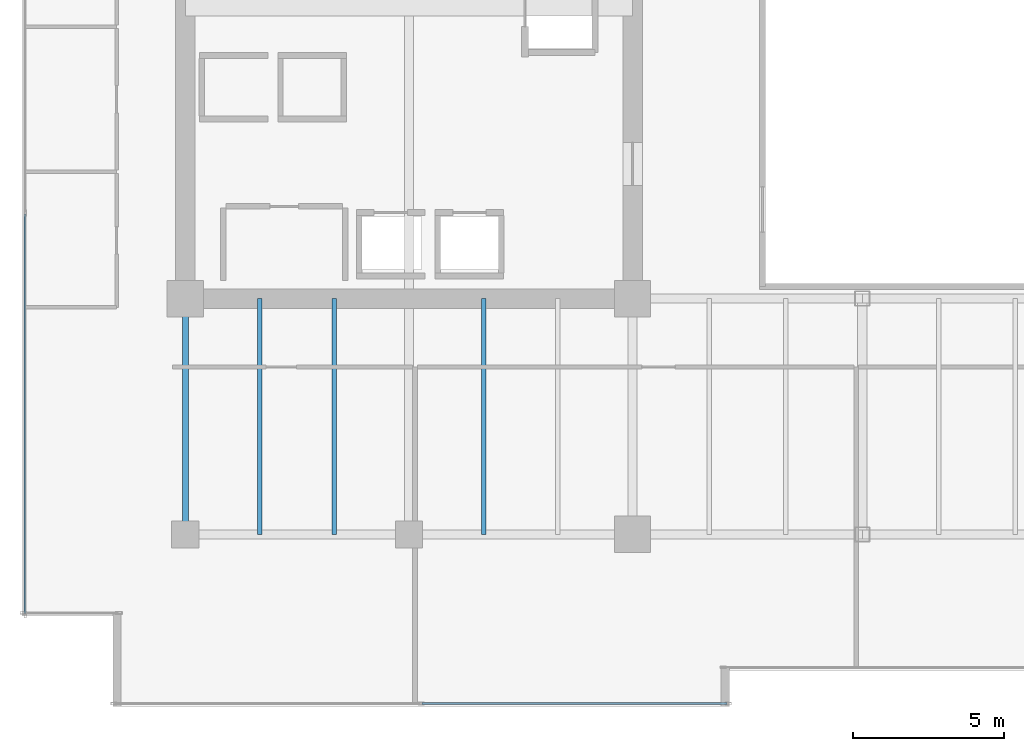
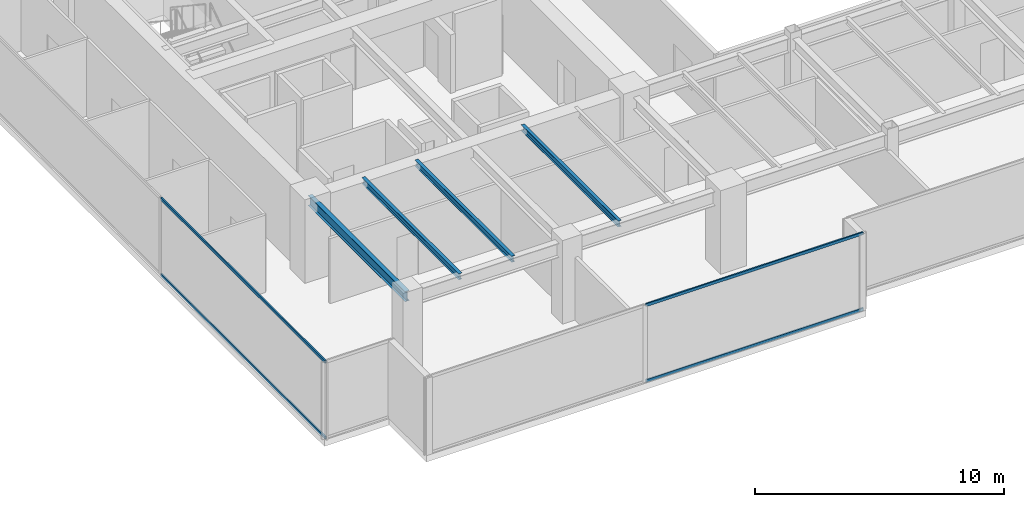
# One storey, part 3 of 31: 4 beams, 4 members, 2 elements without a shape of their own.
"""IFC4 building model written with IfcOpenShell, lengths in metres."""

from ifc_helpers import new_model, si_unit, direction, frame, origin, origin_2d, place, context, subcontext, project, spatial, hollow_rectangle, i_section, extrude, source, transform, mapped, material, layer, layer_set, material_profile, profile_set, type_object, type_shapes, element, aggregate, save


model = new_model("IFC4")

# Units and contexts
model_context = context("Model", 3, precision=1e-05, world=origin(), true_north=direction((0.0, 1.0)))
body_context = subcontext(model_context, "Body", "Model", "MODEL_VIEW")
ifc_project = project(units=[si_unit("LENGTHUNIT", "METRE"), si_unit("AREAUNIT", "SQUARE_METRE"), si_unit("VOLUMEUNIT", "CUBIC_METRE"), si_unit("PLANEANGLEUNIT", "RADIAN"), si_unit("MASSUNIT", "GRAM", prefix="KILO")], contexts=[model_context])

# Site, building, storey
site_placement = place(None, origin())
site = spatial("IfcSite", under=ifc_project, at=site_placement, CompositionType="ELEMENT")
building_placement = place(site_placement, origin())
building = spatial("IfcBuilding", under=site, at=building_placement, Name="Haelvirn Gate Laboratories", CompositionType="ELEMENT")
storey_placement = place(building_placement, frame((0.0, 0.0, 150.199951171875)))
storey = spatial("IfcBuildingStorey", under=building, at=storey_placement, Name="L36", CompositionType="ELEMENT", Elevation=150.199951171875)

# Beams
ifc_material_1 = material(Name="Steel SM355", Category="steel")
ifc_material_profile_1 = material_profile(ifc_material_1, i_section(OverallWidth=0.199951171875, OverallDepth=0.5, WebThickness=0.010009765625, FlangeThickness=0.01611328125, at=origin_2d()), Name="H-500x200x10x16")
ifc_profile_set_1 = profile_set([ifc_material_profile_1], Name="Steel SM355")
beam_type_1 = type_object("IfcBeamType", Name="BM-SP-500", PredefinedType="SPANDREL", material=ifc_profile_set_1)
shared_shape_1 = source(origin(), body_context, "Body", "SweptSolid", [
    extrude(i_section(OverallWidth=0.199951171875, OverallDepth=0.5, WebThickness=0.010009765625, FlangeThickness=0.01611328125, at=origin_2d()), origin(), (0.0, 0.0, 1.0), 7.800048828125),
])
type_shapes(beam_type_1, [shared_shape_1])
beam_placement = place(storey_placement, frame((7.39990234375, 7.0, 3.5400390625), z_axis=(0.0, 1.0, 0.0), x_axis=(-1.0, 0.0, 0.0)))
element("IfcBeam", 1, at=beam_placement, inside=storey, type_object=beam_type_1, Name="L36 Perimeter Spandrel X7.4 (7.0-14.8)", PredefinedType="SPANDREL", context=body_context, shape_type="MappedRepresentation", body=[
    mapped(shared_shape_1, transform((0.0, 0.0, 0.0), scale=1.0)),
])
ifc_material_profile_2 = material_profile(ifc_material_1, i_section(OverallWidth=0.14990234375, OverallDepth=0.300048828125, WebThickness=0.006591796875, FlangeThickness=0.009033203125, at=origin_2d()), Name="H-300x150x6.5x9")
ifc_profile_set_2 = profile_set([ifc_material_profile_2], Name="Steel SM355")
beam_type_2 = type_object("IfcBeamType", Name="BM-J-300", PredefinedType="JOIST", material=ifc_profile_set_2)
shared_shape_2 = source(origin(), body_context, "Body", "SweptSolid", [
    extrude(i_section(OverallWidth=0.14990234375, OverallDepth=0.300048828125, WebThickness=0.006591796875, FlangeThickness=0.009033203125, at=origin_2d()), origin(), (0.0, 0.0, 1.0), 7.800048828125),
])
type_shapes(beam_type_2, [shared_shape_2])
for number, where, z_axis, x_axis, name in (
    (2, (9.8701171875, 7.0, 3.64013671875), (0.0, 1.0, 0.0), (-1.0, 0.0, 0.0), "L36 Composite Lab Joist South X9.87"),
    (3, (12.330078125, 7.0, 3.64013671875), (0.0, 1.0, 0.0), (-1.0, 0.0, 0.0), "L36 Composite Lab Joist South X12.33"),
    (4, (17.27001953125, 7.0, 3.64013671875), (0.0, 1.0, 0.0), (-1.0, 0.0, 0.0), "L36 Composite Lab Joist South X17.27"),
):
    element("IfcBeam", number, at=place(storey_placement, frame(where, z_axis=z_axis, x_axis=x_axis)), inside=storey, type_object=beam_type_2, Name=name, PredefinedType="JOIST", context=body_context, shape_type="MappedRepresentation", body=[
        mapped(shared_shape_2, transform((0.0, 0.0, 0.0), scale=1.0)),
    ])

# Curtain wall, members
ifc_material_2 = material(Name="Anodised bronze unitised aluminium & triple low-E glass", Category="aluminium")
ifc_layer = layer(ifc_material_2, 0.179931640625, Name="CW-SYS-3")
ifc_layer_set = layer_set([ifc_layer], Name="Anodised bronze unitised aluminium & triple low-E glass")
curtain_wall_type = type_object("IfcCurtainWallType", Name="CW-SYS-3", PredefinedType="NOTDEFINED", material=ifc_layer_set)
curtain_wall_1_placement = place(storey_placement, origin())
curtain_wall_1 = element("IfcCurtainWall", 5, at=curtain_wall_1_placement, inside=storey, type_object=curtain_wall_type, Name="L36 Unitised Curtain Wall CW-L36-P0-E00-1", PredefinedType="NOTDEFINED")
ifc_material_3 = material(Name="Extruded aluminium 6063-T6 (anodised bronze)", Category="aluminium")
ifc_material_profile_3 = material_profile(ifc_material_3, hollow_rectangle(XDim=0.06494140625, YDim=0.139892578125, WallThickness=0.00390625, at=origin_2d()), Name="CWT-140x65x4")
ifc_profile_set_3 = profile_set([ifc_material_profile_3], Name="Extruded aluminium 6063-T6 (anodised bronze)")
member_type = type_object("IfcMemberType", Name="CWT-T140", PredefinedType="USERDEFINED", material=ifc_profile_set_3)
shared_shape_3 = source(origin(), body_context, "Body", "SweptSolid", [
    extrude(hollow_rectangle(XDim=0.06494140625, YDim=0.139892578125, WallThickness=0.00390625, at=origin_2d()), origin(), (0.0, 0.0, 1.0), 10.08740234375),
])
member_1_placement = place(storey_placement, frame((15.237548828125, 1.39990234375, 0.032470703125), z_axis=(1.0, 0.0, 0.0), x_axis=(0.0, 1.0, 0.0)))
member_1 = element("IfcMember", 6, at=member_1_placement, type_object=member_type, Name="CW3 transom 2.1", ObjectType="TRANSOM", PredefinedType="USERDEFINED", context=body_context, shape_type="MappedRepresentation", body=[
    mapped(shared_shape_3, transform((0.0, 0.0, 0.0), scale=1.0)),
])
member_2_placement = place(storey_placement, frame((15.237548828125, 1.39990234375, 3.757568359375), z_axis=(1.0, 0.0, 0.0), x_axis=(0.0, 1.0, 0.0)))
member_2 = element("IfcMember", 7, at=member_2_placement, type_object=member_type, Name="CW3 transom 2.2", ObjectType="TRANSOM", PredefinedType="USERDEFINED", context=body_context, shape_type="MappedRepresentation", body=[
    mapped(shared_shape_3, transform((0.0, 0.0, 0.0), scale=1.0)),
])
aggregate(curtain_wall_1, [member_1, member_2])

curtain_wall_2_placement = place(storey_placement, origin())
curtain_wall_2 = element("IfcCurtainWall", 8, at=curtain_wall_2_placement, inside=storey, type_object=curtain_wall_type, Name="L36 Unitised Curtain Wall CW-L36-P0-E17", PredefinedType="NOTDEFINED")
shared_shape_4 = source(origin(), body_context, "Body", "SweptSolid", [
    extrude(hollow_rectangle(XDim=0.06494140625, YDim=0.139892578125, WallThickness=0.00390625, at=origin_2d()), origin(), (0.0, 0.0, 1.0), 13.220947265625),
])
type_shapes(member_type, [shared_shape_3, shared_shape_4])
member_3_placement = place(storey_placement, frame((2.10009765625, 17.595947265625, 0.032470703125), z_axis=(0.0, -1.0, 0.0), x_axis=(1.0, 0.0, 0.0)))
member_3 = element("IfcMember", 9, at=member_3_placement, type_object=member_type, Name="CW3 transom 3.1", ObjectType="TRANSOM", PredefinedType="USERDEFINED", context=body_context, shape_type="MappedRepresentation", body=[
    mapped(shared_shape_4, transform((0.0, 0.0, 0.0), scale=1.0)),
])
member_4_placement = place(storey_placement, frame((2.10009765625, 17.595947265625, 3.757568359375), z_axis=(0.0, -1.0, 0.0), x_axis=(1.0, 0.0, 0.0)))
member_4 = element("IfcMember", 10, at=member_4_placement, type_object=member_type, Name="CW3 transom 3.2", ObjectType="TRANSOM", PredefinedType="USERDEFINED", context=body_context, shape_type="MappedRepresentation", body=[
    mapped(shared_shape_4, transform((0.0, 0.0, 0.0), scale=1.0)),
])
aggregate(curtain_wall_2, [member_3, member_4])

save(model, "model.ifc")
